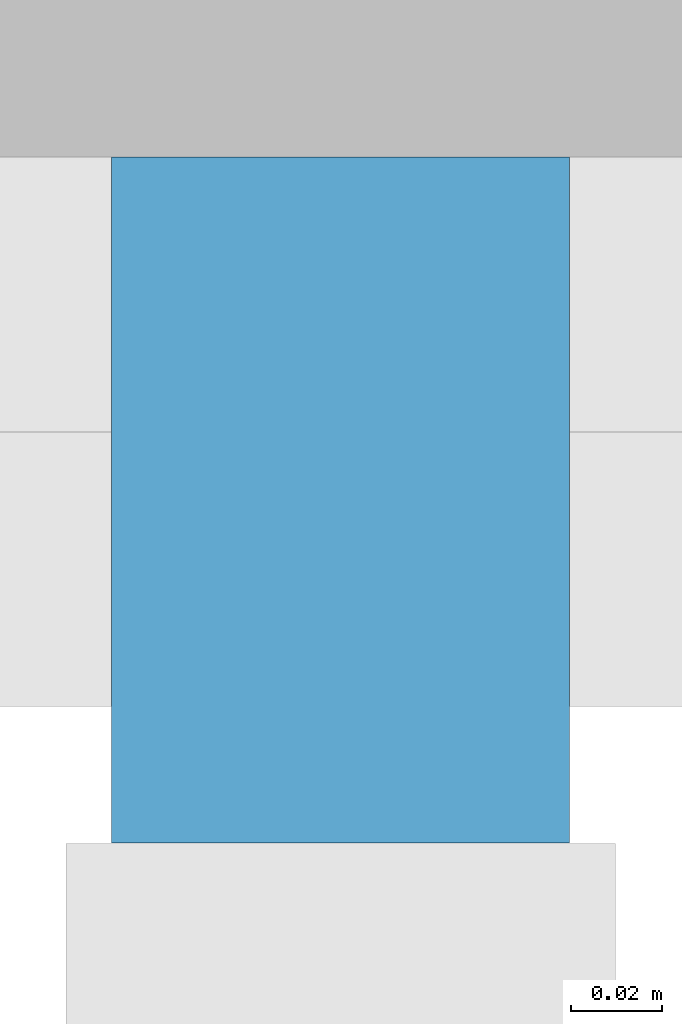
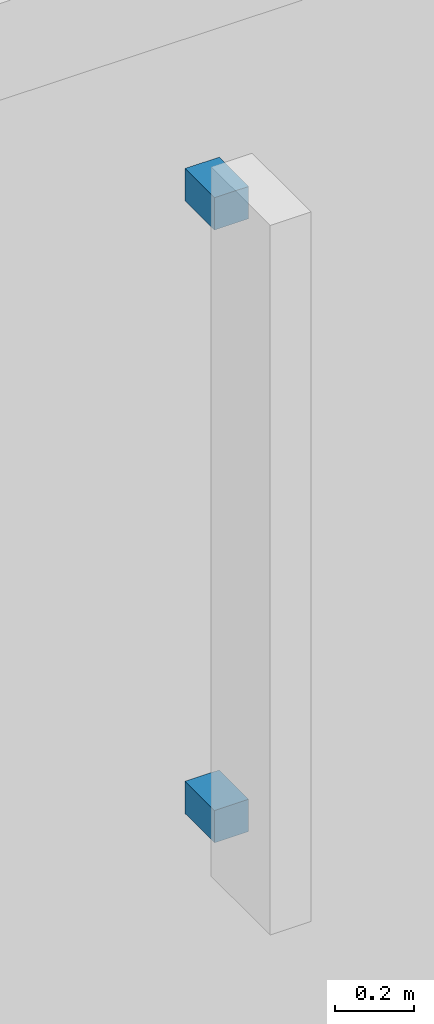
# One storey, part 114 of 149: 2 discrete accessories.
"""IFC4 building model written with IfcOpenShell, lengths in metres."""

from ifc_helpers import new_model, si_unit, direction, frame, origin, origin_2d, place, context, subcontext, project, spatial, rectangle, extrude, material, type_object, element, save


model = new_model("IFC4")

# Units and contexts
model_context = context("Model", 3, precision=1e-05, world=origin(), true_north=direction((0.0, 1.0)))
body_context = subcontext(model_context, "Body", "Model", "MODEL_VIEW")
ifc_project = project(units=[si_unit("LENGTHUNIT", "METRE"), si_unit("AREAUNIT", "SQUARE_METRE"), si_unit("VOLUMEUNIT", "CUBIC_METRE"), si_unit("PLANEANGLEUNIT", "RADIAN"), si_unit("MASSUNIT", "GRAM", prefix="KILO")], contexts=[model_context])

# Site, building, storey
site_placement = place(None, origin())
site = spatial("IfcSite", under=ifc_project, at=site_placement, CompositionType="ELEMENT")
building_placement = place(site_placement, origin())
building = spatial("IfcBuilding", under=site, at=building_placement, Name="Kallimachos Central Library", CompositionType="ELEMENT")
storey_placement = place(building_placement, frame((0.0, 0.0, 9.89990234375)))
storey = spatial("IfcBuildingStorey", under=building, at=storey_placement, Name="L02", CompositionType="ELEMENT", Elevation=9.89990234375)

# Discrete accessories
ifc_material = material(Name="Stainless steel", Category="steel")
discrete_accessory_type = type_object("IfcDiscreteAccessoryType", Name="Fin bracket", PredefinedType="BRACKET", material=ifc_material)
for number, where, z_axis, x_axis, name in (
    (1, (9.39990234375, 86.72509765625, 1.0), (0.0, 0.0, 1.0), (1.0, 0.0, 0.0), "Fin bracket -L02-005"),
    (2, (9.39990234375, 86.72509765625, 2.900146484375), (0.0, 0.0, 1.0), (1.0, 0.0, 0.0), "Fin bracket -L02-005"),
):
    element("IfcDiscreteAccessory", number, at=place(storey_placement, frame(where, z_axis=z_axis, x_axis=x_axis)), inside=storey, type_object=discrete_accessory_type, Name=name, PredefinedType="BRACKET", context=body_context, shape_type="SweptSolid", body=[
        extrude(rectangle(XDim=0.10009765625, YDim=0.14990234375, at=origin_2d()), origin(), (0.0, 0.0, 1.0), 0.10009765625),
    ])

save(model, "model.ifc")
